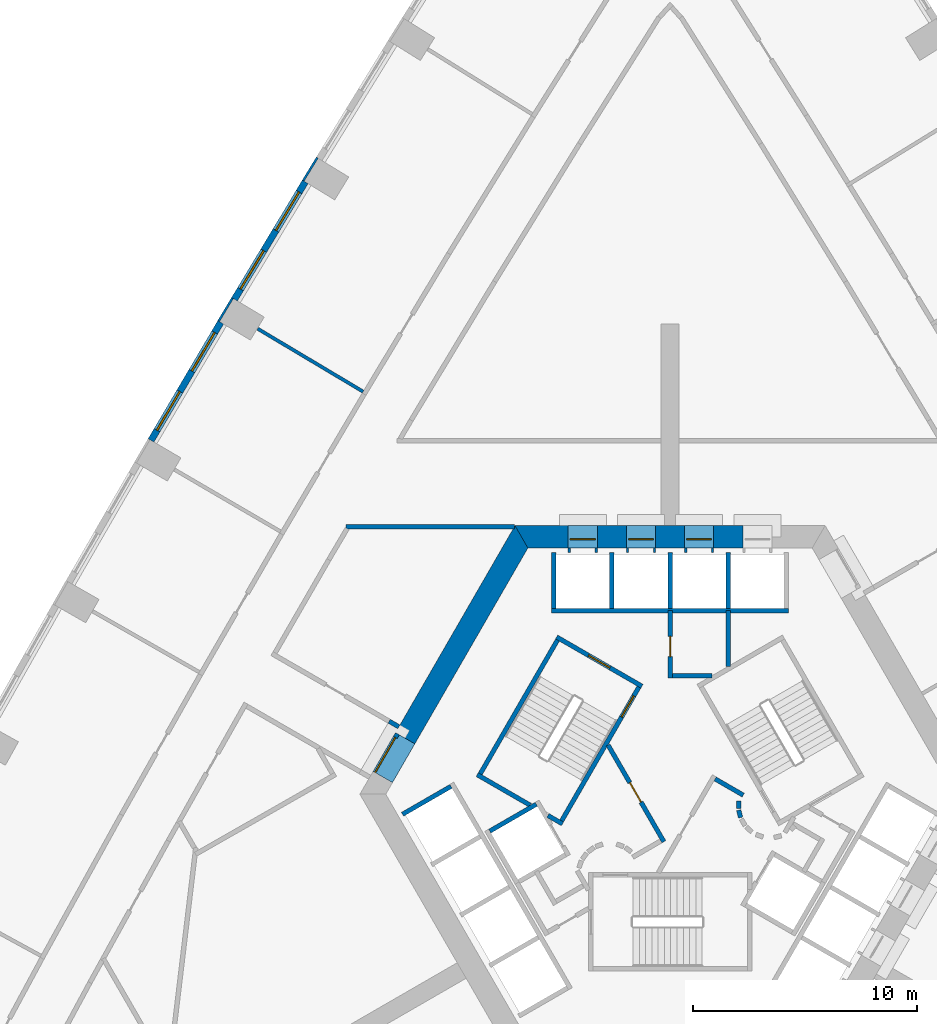
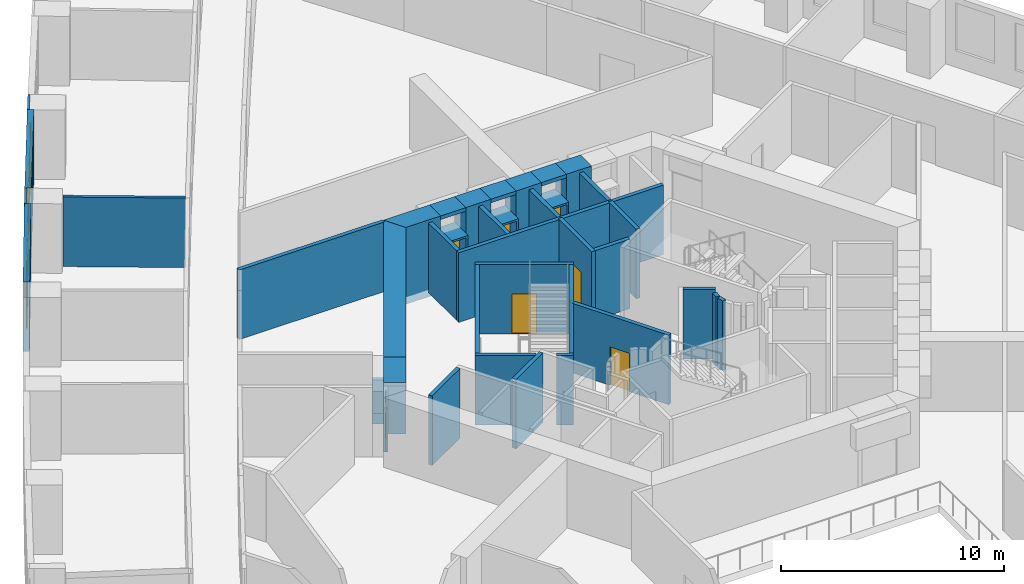
# One storey, part 8 of 16: 39 walls, 8 doors, 4 windows, 12 openings.
"""IFC4 building model written with IfcOpenShell, lengths in metres."""

from ifc_helpers import new_model, si_unit, direction, frame, frame_2d, origin, place, context, subcontext, project, spatial, polyline, rectangle, outline, extrude, material, layer, layer_set, type_object, element, fill, save


model = new_model("IFC4")

# Units and contexts
model_context = context("Model", 3, precision=1e-05, world=origin(), true_north=direction((0.0, 1.0)))
body_context = subcontext(model_context, "Body", "Model", "MODEL_VIEW")
ifc_project = project(units=[si_unit("LENGTHUNIT", "METRE"), si_unit("AREAUNIT", "SQUARE_METRE"), si_unit("VOLUMEUNIT", "CUBIC_METRE"), si_unit("PLANEANGLEUNIT", "RADIAN"), si_unit("MASSUNIT", "GRAM", prefix="KILO")], contexts=[model_context])

# Site, building, storey
site_placement = place(None, origin())
site = spatial("IfcSite", under=ifc_project, at=site_placement, CompositionType="ELEMENT")
building_placement = place(site_placement, origin())
building = spatial("IfcBuilding", under=site, at=building_placement, Name="Entoto Arch Interchange Tower", CompositionType="ELEMENT")
storey_placement = place(building_placement, frame((0.0, 0.0, 60.199951171875)))
storey = spatial("IfcBuildingStorey", under=building, at=storey_placement, Name="L12", CompositionType="ELEMENT", Elevation=60.199951171875)

# Wall, opening, door
ifc_material_1 = material(Name="Reinforced concrete C40/50", Category="concrete")
ifc_layer_1 = layer(ifc_material_1, 0.199951171875)
ifc_layer_set_1 = layer_set([ifc_layer_1], Name="Reinforced concrete C40/50")
wall_type_1 = type_object("IfcWallType", Name="CORE GAP INFILL WALL", PredefinedType="PARTITIONING", material=ifc_layer_set_1)
wall_1_placement = place(storey_placement, frame((-12.179931640625, 5.201904296875, 0.0), z_axis=(0.0, 0.0, 1.0), x_axis=(-0.50002537861, -0.866010750942, 0.0)))
wall_1 = element("IfcWall", 1, at=wall_1_placement, inside=storey, type_object=wall_type_1, Name="wall:L12:gap3", PredefinedType="PARTITIONING", context=body_context, shape_type="SweptSolid", body=[
    extrude(rectangle(XDim=2.0, YDim=0.199951171875, at=frame_2d((1.0, 0.0))), origin(), (0.0, 0.0, 1.0), 2.400146484375),
])
opening_1_placement = place(wall_1_placement, frame((0.18994140625, 0.0, 0.0)))
opening_1 = element("IfcOpeningElement", 2, at=opening_1_placement, cuts=wall_1, Name="Opening L12-D93", PredefinedType="OPENING", context=body_context, shape_type="SweptSolid", body=[
    extrude(rectangle(XDim=1.800048828125, YDim=2.10009765625, at=frame_2d((0.89990234375, 1.050048828125))), frame((0.0, 0.10986328125, 0.0), z_axis=(0.0, -1.0, 0.0), x_axis=(1.0, 0.0, 0.0)), (0.0, 0.0, 1.0), 0.219970703125),
])
ifc_material_2 = material(Name="Fire-rated Steel S235 door and frame", Category="steel")
door_type_1 = type_object("IfcDoorType", Name="DOOR FD-18 1800x2100", OperationType="DOUBLE_DOOR_SINGLE_SWING", PredefinedType="DOOR", material=ifc_material_2)
door_1_placement = place(opening_1_placement, origin())
door_1 = element("IfcDoor", 3, at=door_1_placement, inside=storey, type_object=door_type_1, Name="door:L12:gap3", OperationType="DOUBLE_DOOR_SINGLE_SWING", OverallHeight=2.10009765625, OverallWidth=1.800048828125, PredefinedType="DOOR", context=body_context, shape_type="SweptSolid", body=[
    extrude(rectangle(XDim=1.800048828125, YDim=2.10009765625, at=frame_2d((0.89990234375, 1.050048828125))), frame((0.0, 0.02490234375, 0.0), z_axis=(0.0, -1.0, 0.0), x_axis=(1.0, 0.0, 0.0)), (0.0, 0.0, 1.0), 0.050048828125),
])
fill(opening_1, door_1)

# Walls
ifc_material_3 = material(Name="Concrete C60/75", Category="concrete")
ifc_layer_2 = layer(ifc_material_3, 1.0)
ifc_layer_set_2 = layer_set([ifc_layer_2], Name="Concrete C60/75")
wall_type_2 = type_object("IfcWallType", Name="Core wall 1000 C60/75", PredefinedType="SHEAR", material=ifc_layer_set_2)
wall_2_placement = place(storey_placement, frame((0.0, 0.0, -0.39990234375)))
element("IfcWall", 4, at=wall_2_placement, inside=storey, type_object=wall_type_2, Name="Core wall N L12", PredefinedType="SHEAR", context=body_context, shape_type="SweptSolid", body=[
    extrude(outline(polyline([(1.949951171875, 14.5), (1.949951171875, 13.5), (3.25, 13.5), (3.25, 14.5), (1.949951171875, 14.5)])), origin(), (0.0, 0.0, 1.0), 4.199951171875),
])
wall_3_placement = place(storey_placement, frame((0.0, 0.0, -0.39990234375)))
element("IfcWall", 5, at=wall_3_placement, inside=storey, type_object=wall_type_2, Name="Core wall N L12", PredefinedType="SHEAR", context=body_context, shape_type="SweptSolid", body=[
    extrude(outline(polyline([(-0.64990234375, 14.5), (-0.64990234375, 13.5), (0.64990234375, 13.5), (0.64990234375, 14.5), (-0.64990234375, 14.5)])), origin(), (0.0, 0.0, 1.0), 4.199951171875),
])
wall_4_placement = place(storey_placement, frame((0.0, 0.0, -0.39990234375)))
element("IfcWall", 6, at=wall_4_placement, inside=storey, type_object=wall_type_2, Name="Core wall N L12", PredefinedType="SHEAR", context=body_context, shape_type="SweptSolid", body=[
    extrude(outline(polyline([(-3.25, 14.5), (-3.25, 13.5), (-1.949951171875, 13.5), (-1.949951171875, 14.5), (-3.25, 14.5)])), origin(), (0.0, 0.0, 1.0), 4.199951171875),
])
wall_5_placement = place(storey_placement, frame((0.0, 0.0, -0.39990234375)))
element("IfcWall", 7, at=wall_5_placement, inside=storey, type_object=wall_type_2, Name="Core wall N L12", PredefinedType="SHEAR", context=body_context, shape_type="SweptSolid", body=[
    extrude(outline(polyline([(-4.550048828125, 13.5), (-4.550048828125, 14.5), (-6.927978515625, 14.5), (-6.35107421875, 13.5), (-4.550048828125, 13.5)])), origin(), (0.0, 0.0, 1.0), 4.199951171875),
])
wall_6_placement = place(storey_placement, frame((0.0, 0.0, 3.60009765625)))
element("IfcWall", 8, at=wall_6_placement, inside=storey, type_object=wall_type_2, Name="Core wall lintel N L12", PredefinedType="SHEAR", context=body_context, shape_type="SweptSolid", body=[
    extrude(outline(polyline([(0.64990234375, 14.5), (0.64990234375, 13.5), (1.949951171875, 13.5), (1.949951171875, 14.5), (0.64990234375, 14.5)])), origin(), (0.0, 0.0, 1.0), 0.199951171875),
])
wall_7_placement = place(storey_placement, frame((0.0, 0.0, 3.60009765625)))
element("IfcWall", 9, at=wall_7_placement, inside=storey, type_object=wall_type_2, Name="Core wall lintel N L12", PredefinedType="SHEAR", context=body_context, shape_type="SweptSolid", body=[
    extrude(outline(polyline([(-1.949951171875, 14.5), (-1.949951171875, 13.5), (-0.64990234375, 13.5), (-0.64990234375, 14.5), (-1.949951171875, 14.5)])), origin(), (0.0, 0.0, 1.0), 0.199951171875),
])
wall_8_placement = place(storey_placement, frame((0.0, 0.0, 3.60009765625)))
element("IfcWall", 10, at=wall_8_placement, inside=storey, type_object=wall_type_2, Name="Core wall lintel N L12", PredefinedType="SHEAR", context=body_context, shape_type="SweptSolid", body=[
    extrude(outline(polyline([(-4.550048828125, 14.5), (-4.550048828125, 13.5), (-3.25, 13.5), (-3.25, 14.5), (-4.550048828125, 14.5)])), origin(), (0.0, 0.0, 1.0), 0.199951171875),
])
wall_9_placement = place(storey_placement, frame((0.0, 0.0, -0.39990234375)))
element("IfcWall", 11, at=wall_9_placement, inside=storey, type_object=wall_type_2, Name="Core wall NW L12", PredefinedType="SHEAR", context=body_context, shape_type="SweptSolid", body=[
    extrude(outline(polyline([(-12.26708984375, 5.251953125), (-11.402099609375, 4.751953125), (-6.35107421875, 13.5), (-6.927978515625, 14.5), (-12.26708984375, 5.251953125)])), origin(), (0.0, 0.0, 1.0), 4.199951171875),
])
wall_10_placement = place(storey_placement, frame((0.0, 0.0, 3.60009765625)))
element("IfcWall", 12, at=wall_10_placement, inside=storey, type_object=wall_type_2, Name="Core wall lintel NW L12", PredefinedType="SHEAR", context=body_context, shape_type="SweptSolid", body=[
    extrude(outline(polyline([(-13.26708984375, 3.52001953125), (-12.402099609375, 3.02001953125), (-11.402099609375, 4.751953125), (-12.26708984375, 5.251953125), (-13.26708984375, 3.52001953125)])), origin(), (0.0, 0.0, 1.0), 0.199951171875),
])

# Wall, opening, door
ifc_material_4 = material(Name="Concrete C40/50", Category="concrete")
ifc_layer_3 = layer(ifc_material_4, 1.199951171875)
ifc_layer_set_3 = layer_set([ifc_layer_3], Name="Concrete C40/50")
wall_type_3 = type_object("IfcWallType", Name="LIFT LANDING INFILL WALL", PredefinedType="STANDARD", material=ifc_layer_set_3)
wall_11_placement = place(storey_placement, frame((1.949951171875, 13.89990234375, 0.0), z_axis=(0.0, 0.0, 1.0), x_axis=(-1.0, 0.0, 0.0)))
wall_11 = element("IfcWall", 13, at=wall_11_placement, inside=storey, type_object=wall_type_3, Name="Lift landing infill wall LR2 L12", PredefinedType="STANDARD", context=body_context, shape_type="SweptSolid", body=[
    extrude(rectangle(XDim=1.300048828125, YDim=1.199951171875, at=frame_2d((0.64990234375, 0.0))), origin(), (0.0, 0.0, 1.0), 2.400146484375),
])
opening_2_placement = place(wall_11_placement, frame((0.10009765625, 0.0, 0.0)))
opening_2 = element("IfcOpeningElement", 14, at=opening_2_placement, cuts=wall_11, Name="Opening LD-LR2-L12", PredefinedType="OPENING", context=body_context, shape_type="SweptSolid", body=[
    extrude(rectangle(XDim=1.10009765625, YDim=2.300048828125, at=frame_2d((0.550048828125, 1.14990234375))), frame((0.0, 0.60986328125, 0.0), z_axis=(0.0, -1.0, 0.0), x_axis=(1.0, 0.0, 0.0)), (0.0, 0.0, 1.0), 1.219970703125),
])
ifc_material_5 = material(Name="Stainless steel 1.4301 panels", Category="steel")
door_type_2 = type_object("IfcDoorType", Name="LIFT LANDING DOOR LD2 1100x2300", OperationType="SLIDING_TO_LEFT", PredefinedType="DOOR", material=ifc_material_5)
door_2_placement = place(opening_2_placement, origin())
door_2 = element("IfcDoor", 15, at=door_2_placement, inside=storey, type_object=door_type_2, Name="Lift landing door LR2 L12", OperationType="SLIDING_TO_LEFT", OverallHeight=2.300048828125, OverallWidth=1.10009765625, PredefinedType="DOOR", context=body_context, shape_type="SweptSolid", body=[
    extrude(rectangle(XDim=1.10009765625, YDim=2.300048828125, at=frame_2d((0.550048828125, 1.14990234375))), frame((0.0, 0.02490234375, 0.0), z_axis=(0.0, -1.0, 0.0), x_axis=(1.0, 0.0, 0.0)), (0.0, 0.0, 1.0), 0.050048828125),
])
fill(opening_2, door_2)

wall_12_placement = place(storey_placement, frame((-0.64990234375, 13.89990234375, 0.0), z_axis=(0.0, 0.0, 1.0), x_axis=(-1.0, 0.0, 0.0)))
wall_12 = element("IfcWall", 16, at=wall_12_placement, inside=storey, type_object=wall_type_3, Name="Lift landing infill wall LR3 L12", PredefinedType="STANDARD", context=body_context, shape_type="SweptSolid", body=[
    extrude(rectangle(XDim=1.300048828125, YDim=1.199951171875, at=frame_2d((0.64990234375, 0.0))), origin(), (0.0, 0.0, 1.0), 2.400146484375),
])
opening_3_placement = place(wall_12_placement, frame((0.10009765625, 0.0, 0.0)))
opening_3 = element("IfcOpeningElement", 17, at=opening_3_placement, cuts=wall_12, Name="Opening LD-LR3-L12", PredefinedType="OPENING", context=body_context, shape_type="SweptSolid", body=[
    extrude(rectangle(XDim=1.10009765625, YDim=2.300048828125, at=frame_2d((0.550048828125, 1.14990234375))), frame((0.0, 0.60986328125, 0.0), z_axis=(0.0, -1.0, 0.0), x_axis=(1.0, 0.0, 0.0)), (0.0, 0.0, 1.0), 1.219970703125),
])
door_3_placement = place(opening_3_placement, origin())
door_3 = element("IfcDoor", 18, at=door_3_placement, inside=storey, type_object=door_type_2, Name="Lift landing door LR3 L12", OperationType="SLIDING_TO_LEFT", OverallHeight=2.300048828125, OverallWidth=1.10009765625, PredefinedType="DOOR", context=body_context, shape_type="SweptSolid", body=[
    extrude(rectangle(XDim=1.10009765625, YDim=2.300048828125, at=frame_2d((0.550048828125, 1.14990234375))), frame((0.0, 0.02490234375, 0.0), z_axis=(0.0, -1.0, 0.0), x_axis=(1.0, 0.0, 0.0)), (0.0, 0.0, 1.0), 0.050048828125),
])
fill(opening_3, door_3)

wall_13_placement = place(storey_placement, frame((-3.25, 13.89990234375, 0.0), z_axis=(0.0, 0.0, 1.0), x_axis=(-1.0, 0.0, 0.0)))
wall_13 = element("IfcWall", 19, at=wall_13_placement, inside=storey, type_object=wall_type_3, Name="Lift landing infill wall LR4 L12", PredefinedType="STANDARD", context=body_context, shape_type="SweptSolid", body=[
    extrude(rectangle(XDim=1.300048828125, YDim=1.199951171875, at=frame_2d((0.64990234375, 0.0))), origin(), (0.0, 0.0, 1.0), 2.400146484375),
])
opening_4_placement = place(wall_13_placement, frame((0.10009765625, 0.0, 0.0)))
opening_4 = element("IfcOpeningElement", 20, at=opening_4_placement, cuts=wall_13, Name="Opening LD-LR4-L12", PredefinedType="OPENING", context=body_context, shape_type="SweptSolid", body=[
    extrude(rectangle(XDim=1.10009765625, YDim=2.300048828125, at=frame_2d((0.550048828125, 1.14990234375))), frame((0.0, 0.60986328125, 0.0), z_axis=(0.0, -1.0, 0.0), x_axis=(1.0, 0.0, 0.0)), (0.0, 0.0, 1.0), 1.219970703125),
])
door_4_placement = place(opening_4_placement, origin())
door_4 = element("IfcDoor", 21, at=door_4_placement, inside=storey, type_object=door_type_2, Name="Lift landing door LR4 L12", OperationType="SLIDING_TO_LEFT", OverallHeight=2.300048828125, OverallWidth=1.10009765625, PredefinedType="DOOR", context=body_context, shape_type="SweptSolid", body=[
    extrude(rectangle(XDim=1.10009765625, YDim=2.300048828125, at=frame_2d((0.550048828125, 1.14990234375))), frame((0.0, 0.02490234375, 0.0), z_axis=(0.0, -1.0, 0.0), x_axis=(1.0, 0.0, 0.0)), (0.0, 0.0, 1.0), 0.050048828125),
])
fill(opening_4, door_4)

# Walls
ifc_layer_4 = layer(ifc_material_4, 0.199951171875)
ifc_layer_set_4 = layer_set([ifc_layer_4], Name="Concrete C40/50")
wall_type_4 = type_object("IfcWallType", Name="LIFT SHAFT WALL 200", PredefinedType="STANDARD", material=ifc_layer_set_4)
wall_14_placement = place(storey_placement, frame((5.300048828125, 10.699951171875, 0.0), z_axis=(0.0, 0.0, 1.0), x_axis=(-1.0, 0.0, 0.0)))
element("IfcWall", 22, at=wall_14_placement, inside=storey, type_object=wall_type_4, Name="Shaft wall N3 front", PredefinedType="STANDARD", context=body_context, shape_type="SweptSolid", body=[
    extrude(rectangle(XDim=10.60009765625, YDim=0.199951171875, at=frame_2d((5.300048828125, 0.0))), origin(), (0.0, 0.0, 1.0), 3.800048828125),
])
for number, where, z_axis, x_axis, name in (
    (23, (2.60009765625, 10.800048828125, 0.0), (0.0, 0.0, 1.0), (0.0, 1.0, 0.0), "Shaft wall N3 cross 2"),
    (24, (0.0, 10.800048828125, 0.0), (0.0, 0.0, 1.0), (0.0, 1.0, 0.0), "Shaft wall N3 cross 3"),
    (25, (-2.60009765625, 10.800048828125, 0.0), (0.0, 0.0, 1.0), (0.0, 1.0, 0.0), "Shaft wall N3 cross 4"),
    (26, (-5.199951171875, 10.800048828125, 0.0), (0.0, 0.0, 1.0), (0.0, 1.0, 0.0), "Shaft wall N3 cross 5"),
):
    element("IfcWall", number, at=place(storey_placement, frame(where, z_axis=z_axis, x_axis=x_axis)), inside=storey, type_object=wall_type_4, Name=name, PredefinedType="STANDARD", context=body_context, shape_type="SweptSolid", body=[
        extrude(rectangle(XDim=2.5, YDim=0.199951171875, at=frame_2d((1.25, 0.0))), origin(), (0.0, 0.0, 1.0), 3.800048828125),
    ])
wall_15_placement = place(storey_placement, frame((-5.97705078125, 2.052001953125, 0.0), z_axis=(0.0, 0.0, 1.0), x_axis=(-0.865973769406, -0.500089422704, 0.0)))
element("IfcWall", 27, at=wall_15_placement, inside=storey, type_object=wall_type_4, Name="Shaft wall SW1 cross 1", PredefinedType="STANDARD", context=body_context, shape_type="SweptSolid", body=[
    extrude(rectangle(XDim=2.3994140625, YDim=0.199951171875, at=frame_2d((1.19970703125, 0.0))), origin(), (0.0, 0.0, 1.0), 3.800048828125),
])
wall_16_placement = place(storey_placement, frame((-9.7880859375, 2.85302734375, 0.0), z_axis=(0.0, 0.0, 1.0), x_axis=(-0.865998541277, -0.500046524342, 0.0)))
element("IfcWall", 28, at=wall_16_placement, inside=storey, type_object=wall_type_4, Name="Shaft wall SW3 cross 1", PredefinedType="STANDARD", context=body_context, shape_type="SweptSolid", body=[
    extrude(rectangle(XDim=2.499755859375, YDim=0.199951171875, at=frame_2d((1.25, 0.0))), origin(), (0.0, 0.0, 1.0), 3.800048828125),
])
ifc_material_6 = material(Name="Gypsum board partition on steel studs", Category="steel")
ifc_layer_5 = layer(ifc_material_6, 0.14990234375)
ifc_layer_set_5 = layer_set([ifc_layer_5], Name="Gypsum board partition on steel studs")
wall_type_5 = type_object("IfcWallType", Name="PARTITION 150", PredefinedType="PARTITIONING", material=ifc_layer_set_5)
wall_17_placement = place(storey_placement, frame((-13.716064453125, 20.488037109375, 0.0), z_axis=(0.0, 0.0, 1.0), x_axis=(-0.85883841868, 0.512246591594, 0.0)))
element("IfcWall", 29, at=wall_17_placement, inside=storey, type_object=wall_type_5, Name="wall:L12:p144", PredefinedType="PARTITIONING", context=body_context, shape_type="SweptSolid", body=[
    extrude(rectangle(XDim=5.4794921875, YDim=0.14990234375, at=frame_2d((2.73974609375, 0.0))), origin(), (0.0, 0.0, 1.0), 3.800048828125),
])
ifc_layer_6 = layer(ifc_material_6, 0.199951171875)
ifc_layer_set_6 = layer_set([ifc_layer_6], Name="Gypsum board partition on steel studs")
wall_type_6 = type_object("IfcWallType", Name="PARTITION 200", PredefinedType="PARTITIONING", material=ifc_layer_set_6)
wall_18_placement = place(storey_placement, frame((1.8798828125, 7.800048828125, 0.0), z_axis=(0.0, 0.0, 1.0), x_axis=(-1.0, 0.0, 0.0)))
element("IfcWall", 30, at=wall_18_placement, inside=storey, type_object=wall_type_6, Name="wall:L12:p083", PredefinedType="PARTITIONING", context=body_context, shape_type="SweptSolid", body=[
    extrude(rectangle(XDim=1.77978515625, YDim=0.199951171875, at=frame_2d((0.889892578125, 0.0))), origin(), (0.0, 0.0, 1.0), 3.800048828125),
])

# Wall, opening, door
wall_19_placement = place(storey_placement, frame((0.0, 7.699951171875, 0.0), z_axis=(0.0, 0.0, 1.0), x_axis=(0.000325520816, 0.999999947018, 0.0)))
wall_19 = element("IfcWall", 31, at=wall_19_placement, inside=storey, type_object=wall_type_6, Name="wall:L12:p084", PredefinedType="PARTITIONING", context=body_context, shape_type="SweptSolid", body=[
    extrude(rectangle(XDim=3.0, YDim=0.199951171875, at=frame_2d((1.5, 0.0))), origin(), (0.0, 0.0, 1.0), 3.800048828125),
])
opening_5_placement = place(wall_19_placement, frame((0.949951171875, 0.0, 0.0)))
opening_5 = element("IfcOpeningElement", 32, at=opening_5_placement, cuts=wall_19, Name="Opening L12-D32", PredefinedType="OPENING", context=body_context, shape_type="SweptSolid", body=[
    extrude(rectangle(XDim=0.89990234375, YDim=2.10009765625, at=frame_2d((0.449951171875, 1.050048828125))), frame((0.0, 0.10986328125, 0.0), z_axis=(0.0, -1.0, 0.0), x_axis=(1.0, 0.0, 0.0)), (0.0, 0.0, 1.0), 0.219970703125),
])
ifc_material_7 = material(Name="Timber door leaf in Steel S235 frame", Category="steel")
door_type_3 = type_object("IfcDoorType", Name="DOOR DS-09 900x2100", OperationType="SINGLE_SWING_LEFT", PredefinedType="DOOR", material=ifc_material_7)
door_5_placement = place(opening_5_placement, origin())
door_5 = element("IfcDoor", 33, at=door_5_placement, inside=storey, type_object=door_type_3, Name="door:L12:32", OperationType="SINGLE_SWING_RIGHT", OverallHeight=2.10009765625, OverallWidth=0.89990234375, PredefinedType="DOOR", context=body_context, shape_type="SweptSolid", body=[
    extrude(rectangle(XDim=0.89990234375, YDim=2.10009765625, at=frame_2d((0.449951171875, 1.050048828125))), frame((0.0, 0.02490234375, 0.0), z_axis=(0.0, -1.0, 0.0), x_axis=(1.0, 0.0, 0.0)), (0.0, 0.0, 1.0), 0.050048828125),
])
fill(opening_5, door_5)

# Walls
wall_20_placement = place(storey_placement, frame((2.59912109375, 10.699951171875, 0.0), z_axis=(0.0, 0.0, 1.0), x_axis=(0.000393159002, -0.999999922713, 0.0)))
element("IfcWall", 34, at=wall_20_placement, inside=storey, type_object=wall_type_6, Name="wall:L12:p085", PredefinedType="PARTITIONING", context=body_context, shape_type="SweptSolid", body=[
    extrude(rectangle(XDim=2.48388671875, YDim=0.199951171875, at=frame_2d((1.241943359375, 0.0))), origin(), (0.0, 0.0, 1.0), 3.800048828125),
])
wall_21_placement = place(storey_placement, frame((-6.95703125, 14.449951171875, 0.0), z_axis=(0.0, 0.0, 1.0), x_axis=(-1.0, 0.0, 0.0)))
element("IfcWall", 35, at=wall_21_placement, inside=storey, type_object=wall_type_6, Name="wall:L12:p097", PredefinedType="PARTITIONING", context=body_context, shape_type="SweptSolid", body=[
    extrude(rectangle(XDim=7.51904296875, YDim=0.199951171875, at=frame_2d((3.759521484375, 0.0))), origin(), (0.0, 0.0, 1.0), 3.800048828125),
])
wall_22_placement = place(storey_placement, frame((2.011962890625, 3.18603515625, 0.0), z_axis=(0.0, 0.0, 1.0), x_axis=(0.865891012941, -0.500232699559, 0.0)))
element("IfcWall", 36, at=wall_22_placement, inside=storey, type_object=wall_type_6, Name="wall:L12:p101", PredefinedType="PARTITIONING", context=body_context, shape_type="SweptSolid", body=[
    extrude(rectangle(XDim=1.449462890625, YDim=0.199951171875, at=frame_2d((0.724609375, 0.0))), origin(), (0.0, 0.0, 1.0), 3.800048828125),
])
wall_23_placement = place(storey_placement, frame((3.0791015625, 2.198974609375, 0.0), z_axis=(0.0, 0.0, 1.0), x_axis=(-0.047771483479, -0.998858290933, 0.0)))
element("IfcWall", 37, at=wall_23_placement, inside=storey, type_object=wall_type_6, Name="wall:L12:p102", PredefinedType="PARTITIONING", context=body_context, shape_type="SweptSolid", body=[
    extrude(rectangle(XDim=0.33740234375, YDim=0.199951171875, at=frame_2d((0.168701171875, 0.0))), origin(), (0.0, 0.0, 1.0), 3.800048828125),
])
wall_24_placement = place(storey_placement, frame((3.070068359375, 1.785888671875, 0.0), z_axis=(0.0, 0.0, 1.0), x_axis=(0.242705583207, -0.970099994784, 0.0)))
element("IfcWall", 38, at=wall_24_placement, inside=storey, type_object=wall_type_6, Name="wall:L12:p103", PredefinedType="PARTITIONING", context=body_context, shape_type="SweptSolid", body=[
    extrude(rectangle(XDim=0.337890625, YDim=0.199951171875, at=frame_2d((0.1689453125, 0.0))), origin(), (0.0, 0.0, 1.0), 3.800048828125),
])

# Wall, opening, door
wall_25_placement = place(storey_placement, frame((-2.77099609375, 4.699951171875, 0.0), z_axis=(0.0, 0.0, 1.0), x_axis=(0.499969479948, -0.866043023828, 0.0)))
wall_25 = element("IfcWall", 39, at=wall_25_placement, inside=storey, type_object=wall_type_6, Name="wall:L12:p108", PredefinedType="PARTITIONING", context=body_context, shape_type="SweptSolid", body=[
    extrude(rectangle(XDim=4.990478515625, YDim=0.199951171875, at=frame_2d((2.4951171875, 0.0))), origin(), (0.0, 0.0, 1.0), 3.800048828125),
])
opening_6_placement = place(wall_25_placement, frame((1.945068359375, 0.0, 0.0)))
opening_6 = element("IfcOpeningElement", 40, at=opening_6_placement, cuts=wall_25, Name="Opening L12-D31", PredefinedType="OPENING", context=body_context, shape_type="SweptSolid", body=[
    extrude(rectangle(XDim=1.0, YDim=2.10009765625, at=frame_2d((0.5, 1.050048828125))), frame((0.0, 0.10986328125, 0.0), z_axis=(0.0, -1.0, 0.0), x_axis=(1.0, 0.0, 0.0)), (0.0, 0.0, 1.0), 0.219970703125),
])
door_type_4 = type_object("IfcDoorType", Name="DOOR FD-10 1000x2100", OperationType="SINGLE_SWING_LEFT", PredefinedType="DOOR", material=ifc_material_2)
door_6_placement = place(opening_6_placement, origin())
door_6 = element("IfcDoor", 41, at=door_6_placement, inside=storey, type_object=door_type_4, Name="door:L12:31", OperationType="SINGLE_SWING_RIGHT", OverallHeight=2.10009765625, OverallWidth=1.0, PredefinedType="DOOR", context=body_context, shape_type="SweptSolid", body=[
    extrude(rectangle(XDim=1.0, YDim=2.10009765625, at=frame_2d((0.5, 1.050048828125))), frame((0.0, 0.02490234375, 0.0), z_axis=(0.0, -1.0, 0.0), x_axis=(1.0, 0.0, 0.0)), (0.0, 0.0, 1.0), 0.050048828125),
])
fill(opening_6, door_6)

# Wall
wall_26_placement = place(storey_placement, frame((-12.550048828125, 5.761962890625, 0.0), z_axis=(0.0, 0.0, 1.0), x_axis=(0.866071776036, -0.499919672301, 0.0)))
element("IfcWall", 42, at=wall_26_placement, inside=storey, type_object=wall_type_6, Name="wall:L12:p003", PredefinedType="PARTITIONING", context=body_context, shape_type="SweptSolid", body=[
    extrude(rectangle(XDim=0.5, YDim=0.199951171875, at=frame_2d((0.25, 0.0))), origin(), (0.0, 0.0, 1.0), 2.400146484375),
])

# Wall, opening, door
ifc_layer_7 = layer(ifc_material_4, 0.199951171875)
ifc_layer_set_7 = layer_set([ifc_layer_7], Name="Concrete C40/50")
wall_type_7 = type_object("IfcWallType", Name="STAIR ENCLOSURE WALL 200", PredefinedType="STANDARD", material=ifc_layer_set_7)
wall_27_placement = place(storey_placement, frame((-1.256103515625, 7.323974609375, 0.0), z_axis=(0.0, 0.0, 1.0), x_axis=(-0.866046073146, 0.499964197906, 0.0)))
wall_27 = element("IfcWall", 43, at=wall_27_placement, inside=storey, type_object=wall_type_7, Name="Stair wall ST-NW near", PredefinedType="STANDARD", context=body_context, shape_type="SweptSolid", body=[
    extrude(rectangle(XDim=4.400146484375, YDim=0.199951171875, at=frame_2d((2.2001953125, 0.0))), origin(), (0.0, 0.0, 1.0), 3.800048828125),
])
opening_7_placement = place(wall_27_placement, frame((1.64990234375, 0.0, 0.0)))
opening_7 = element("IfcOpeningElement", 44, at=opening_7_placement, cuts=wall_27, Name="Opening SD-ST-NW-L12-E", PredefinedType="OPENING", context=body_context, shape_type="SweptSolid", body=[
    extrude(rectangle(XDim=1.10009765625, YDim=2.199951171875, at=frame_2d((0.550048828125, 1.10009765625))), frame((0.0, 0.10986328125, 0.0), z_axis=(0.0, -1.0, 0.0), x_axis=(1.0, 0.0, 0.0)), (0.0, 0.0, 1.0), 0.219970703125),
])
ifc_material_8 = material(Name="Steel S235", Category="steel")
door_type_5 = type_object("IfcDoorType", Name="STAIR DOOR SD1 1100x2200", OperationType="SINGLE_SWING_LEFT", PredefinedType="DOOR", material=ifc_material_8)
door_7_placement = place(opening_7_placement, origin())
door_7 = element("IfcDoor", 45, at=door_7_placement, inside=storey, type_object=door_type_5, Name="Stair door ST-NW L12 end", OperationType="SINGLE_SWING_LEFT", OverallHeight=2.199951171875, OverallWidth=1.10009765625, PredefinedType="DOOR", context=body_context, shape_type="SweptSolid", body=[
    extrude(rectangle(XDim=1.10009765625, YDim=2.199951171875, at=frame_2d((0.550048828125, 1.10009765625))), frame((0.0, 0.02490234375, 0.0), z_axis=(0.0, -1.0, 0.0), x_axis=(1.0, 0.0, 0.0)), (0.0, 0.0, 1.0), 0.050048828125),
])
fill(opening_7, door_7)

# Walls
wall_28_placement = place(storey_placement, frame((-6.25, 2.010009765625, 0.0), z_axis=(0.0, 0.0, 1.0), x_axis=(-0.86611865017, 0.499838457731, 0.0)))
element("IfcWall", 46, at=wall_28_placement, inside=storey, type_object=wall_type_7, Name="Stair wall ST-NW far", PredefinedType="STANDARD", context=body_context, shape_type="SweptSolid", body=[
    extrude(rectangle(XDim=2.73291015625, YDim=0.199951171875, at=frame_2d((1.366455078125, 0.0))), origin(), (0.0, 0.0, 1.0), 3.800048828125),
])
wall_29_placement = place(storey_placement, frame((-4.805908203125, 1.176025390625, 0.0), z_axis=(0.0, 0.0, 1.0), x_axis=(-0.866558586415, 0.499075361355, 0.0)))
element("IfcWall", 47, at=wall_29_placement, inside=storey, type_object=wall_type_7, Name="Stair wall ST-NW far return", PredefinedType="STANDARD", context=body_context, shape_type="SweptSolid", body=[
    extrude(rectangle(XDim=0.75146484375, YDim=0.199951171875, at=frame_2d((0.375732421875, 0.0))), origin(), (0.0, 0.0, 1.0), 3.800048828125),
])

# Wall, opening, door
wall_30_placement = place(storey_placement, frame((-1.39306640625, 7.2880859375, 0.0), z_axis=(0.0, 0.0, 1.0), x_axis=(-0.499963383562, -0.866046543262, 0.0)))
wall_30 = element("IfcWall", 48, at=wall_30_placement, inside=storey, type_object=wall_type_7, Name="Stair wall ST-NW hall", PredefinedType="STANDARD", context=body_context, shape_type="SweptSolid", body=[
    extrude(rectangle(XDim=6.900390625, YDim=0.199951171875, at=frame_2d((3.4501953125, 0.0))), origin(), (0.0, 0.0, 1.0), 3.800048828125),
])
opening_8_placement = place(wall_30_placement, frame((0.449951171875, 0.0, 0.0)))
opening_8 = element("IfcOpeningElement", 49, at=opening_8_placement, cuts=wall_30, Name="Opening SD-ST-NW-L12", PredefinedType="OPENING", context=body_context, shape_type="SweptSolid", body=[
    extrude(rectangle(XDim=1.10009765625, YDim=2.199951171875, at=frame_2d((0.550048828125, 1.10009765625))), frame((0.0, 0.10986328125, 0.0), z_axis=(0.0, -1.0, 0.0), x_axis=(1.0, 0.0, 0.0)), (0.0, 0.0, 1.0), 0.219970703125),
])
door_8_placement = place(opening_8_placement, origin())
door_8 = element("IfcDoor", 50, at=door_8_placement, inside=storey, type_object=door_type_5, Name="Stair door ST-NW L12", OperationType="SINGLE_SWING_LEFT", OverallHeight=2.199951171875, OverallWidth=1.10009765625, PredefinedType="DOOR", context=body_context, shape_type="SweptSolid", body=[
    extrude(rectangle(XDim=1.10009765625, YDim=2.199951171875, at=frame_2d((0.550048828125, 1.10009765625))), frame((0.0, 0.02490234375, 0.0), z_axis=(0.0, -1.0, 0.0), x_axis=(1.0, 0.0, 0.0)), (0.0, 0.0, 1.0), 0.050048828125),
])
fill(opening_8, door_8)

# Wall
wall_31_placement = place(storey_placement, frame((-5.030029296875, 9.387939453125, 0.0), z_axis=(0.0, 0.0, 1.0), x_axis=(-0.499978703459, -0.866037698999, 0.0)))
element("IfcWall", 51, at=wall_31_placement, inside=storey, type_object=wall_type_7, Name="Stair wall ST-NW back", PredefinedType="STANDARD", context=body_context, shape_type="SweptSolid", body=[
    extrude(rectangle(XDim=6.900146484375, YDim=0.199951171875, at=frame_2d((3.4501953125, 0.0))), origin(), (0.0, 0.0, 1.0), 3.800048828125),
])

# Wall, openings, windows
ifc_material_9 = material(Name="Welded tuff (ignimbrite) cladding, warm buff", Category="masonry")
ifc_layer_8 = layer(ifc_material_9, 0.300048828125)
ifc_layer_set_8 = layer_set([ifc_layer_8], Name="Welded tuff (ignimbrite) cladding, warm buff")
wall_type_8 = type_object("IfcWallType", Name="STONE INFILL WALL 300", PredefinedType="STANDARD", material=ifc_layer_set_8)
wall_32_placement = place(storey_placement, frame((-16.300048828125, 29.85888671875, 0.0), z_axis=(0.0, 0.0, 1.0), x_axis=(-0.516147563478, -0.856499674674, 0.0)))
wall_32 = element("IfcWall", 52, at=wall_32_placement, inside=storey, type_object=wall_type_8, Name="Facade wall NW-03 L12", PredefinedType="STANDARD", context=body_context, shape_type="SweptSolid", body=[
    extrude(rectangle(XDim=6.1259765625, YDim=0.300048828125, at=frame_2d((3.06298828125, 0.0))), origin(), (0.0, 0.0, 1.0), 3.800048828125),
])
opening_9_placement = place(wall_32_placement, frame((0.531982421875, 0.0, 0.89990234375)))
opening_9 = element("IfcOpeningElement", 53, at=opening_9_placement, cuts=wall_32, Name="Opening WO-C", PredefinedType="OPENING", context=body_context, shape_type="SweptSolid", body=[
    extrude(rectangle(XDim=2.0, YDim=2.60009765625, at=frame_2d((1.0, 1.300048828125))), frame((0.0, 0.16015625, 0.0), z_axis=(0.0, -1.0, 0.0), x_axis=(1.0, 0.0, 0.0)), (0.0, 0.0, 1.0), 0.320068359375),
])
opening_10_placement = place(wall_32_placement, frame((3.594970703125, 0.0, 0.89990234375)))
opening_10 = element("IfcOpeningElement", 54, at=opening_10_placement, cuts=wall_32, Name="Opening WO-C", PredefinedType="OPENING", context=body_context, shape_type="SweptSolid", body=[
    extrude(rectangle(XDim=2.0, YDim=2.60009765625, at=frame_2d((1.0, 1.300048828125))), frame((0.0, 0.16015625, 0.0), z_axis=(0.0, -1.0, 0.0), x_axis=(1.0, 0.0, 0.0)), (0.0, 0.0, 1.0), 0.320068359375),
])
ifc_material_10 = material(Name="Clear glass, low-e double glazed", Category="glass")
window_type = type_object("IfcWindowType", Name="WINDOW WO-C 2000x2600", PartitioningType="DOUBLE_PANEL_VERTICAL", PredefinedType="WINDOW", material=ifc_material_10)
window_1_placement = place(opening_9_placement, origin())
window_1 = element("IfcWindow", 55, at=window_1_placement, inside=storey, type_object=window_type, Name="Window WO-C NW-03 L12", OverallHeight=2.60009765625, OverallWidth=2.0, PartitioningType="SINGLE_PANEL", PredefinedType="WINDOW", context=body_context, shape_type="SweptSolid", body=[
    extrude(rectangle(XDim=2.0, YDim=2.60009765625, at=frame_2d((1.0, 1.300048828125))), frame((0.0, 0.030029296875, 0.0), z_axis=(0.0, -1.0, 0.0), x_axis=(1.0, 0.0, 0.0)), (0.0, 0.0, 1.0), 0.06005859375),
])
fill(opening_9, window_1)
window_2_placement = place(opening_10_placement, origin())
window_2 = element("IfcWindow", 56, at=window_2_placement, inside=storey, type_object=window_type, Name="Window WO-C NW-03 L12", OverallHeight=2.60009765625, OverallWidth=2.0, PartitioningType="SINGLE_PANEL", PredefinedType="WINDOW", context=body_context, shape_type="SweptSolid", body=[
    extrude(rectangle(XDim=2.0, YDim=2.60009765625, at=frame_2d((1.0, 1.300048828125))), frame((0.0, 0.030029296875, 0.0), z_axis=(0.0, -1.0, 0.0), x_axis=(1.0, 0.0, 0.0)), (0.0, 0.0, 1.0), 0.06005859375),
])
fill(opening_10, window_2)

wall_33_placement = place(storey_placement, frame((-20.075927734375, 23.5830078125, 0.0), z_axis=(0.0, 0.0, 1.0), x_axis=(-0.508163938648, -0.861260362177, 0.0)))
wall_33 = element("IfcWall", 57, at=wall_33_placement, inside=storey, type_object=wall_type_8, Name="Facade wall NW-04 L12", PredefinedType="STANDARD", context=body_context, shape_type="SweptSolid", body=[
    extrude(rectangle(XDim=6.1259765625, YDim=0.300048828125, at=frame_2d((3.06298828125, 0.0))), origin(), (0.0, 0.0, 1.0), 3.800048828125),
])
opening_11_placement = place(wall_33_placement, frame((0.531005859375, 0.0, 0.89990234375)))
opening_11 = element("IfcOpeningElement", 58, at=opening_11_placement, cuts=wall_33, Name="Opening WO-C", PredefinedType="OPENING", context=body_context, shape_type="SweptSolid", body=[
    extrude(rectangle(XDim=2.0, YDim=2.60009765625, at=frame_2d((1.0, 1.300048828125))), frame((0.0, 0.16015625, 0.0), z_axis=(0.0, -1.0, 0.0), x_axis=(1.0, 0.0, 0.0)), (0.0, 0.0, 1.0), 0.320068359375),
])
opening_12_placement = place(wall_33_placement, frame((3.593994140625, 0.0, 0.89990234375)))
opening_12 = element("IfcOpeningElement", 59, at=opening_12_placement, cuts=wall_33, Name="Opening WO-C", PredefinedType="OPENING", context=body_context, shape_type="SweptSolid", body=[
    extrude(rectangle(XDim=2.0, YDim=2.60009765625, at=frame_2d((1.0, 1.300048828125))), frame((0.0, 0.16015625, 0.0), z_axis=(0.0, -1.0, 0.0), x_axis=(1.0, 0.0, 0.0)), (0.0, 0.0, 1.0), 0.320068359375),
])
window_3_placement = place(opening_11_placement, origin())
window_3 = element("IfcWindow", 60, at=window_3_placement, inside=storey, type_object=window_type, Name="Window WO-C NW-04 L12", OverallHeight=2.60009765625, OverallWidth=2.0, PartitioningType="SINGLE_PANEL", PredefinedType="WINDOW", context=body_context, shape_type="SweptSolid", body=[
    extrude(rectangle(XDim=2.0, YDim=2.60009765625, at=frame_2d((1.0, 1.300048828125))), frame((0.0, 0.030029296875, 0.0), z_axis=(0.0, -1.0, 0.0), x_axis=(1.0, 0.0, 0.0)), (0.0, 0.0, 1.0), 0.06005859375),
])
fill(opening_11, window_3)
window_4_placement = place(opening_12_placement, origin())
window_4 = element("IfcWindow", 61, at=window_4_placement, inside=storey, type_object=window_type, Name="Window WO-C NW-04 L12", OverallHeight=2.60009765625, OverallWidth=2.0, PartitioningType="SINGLE_PANEL", PredefinedType="WINDOW", context=body_context, shape_type="SweptSolid", body=[
    extrude(rectangle(XDim=2.0, YDim=2.60009765625, at=frame_2d((1.0, 1.300048828125))), frame((0.0, 0.030029296875, 0.0), z_axis=(0.0, -1.0, 0.0), x_axis=(1.0, 0.0, 0.0)), (0.0, 0.0, 1.0), 0.06005859375),
])
fill(opening_12, window_4)

# Walls
ifc_layer_9 = layer(ifc_material_9, 0.10009765625)
ifc_layer_set_9 = layer_set([ifc_layer_9], Name="Welded tuff (ignimbrite) cladding, warm buff")
wall_type_9 = type_object("IfcWallType", Name="STONE PIER CLADDING 100", PredefinedType="STANDARD", material=ifc_layer_set_9)
for number, where, z_axis, x_axis, name in (
    (62, (-15.762939453125, 30.93603515625, 0.0), (0.0, 0.0, 1.0), (-0.521598117945, -0.853191305251, 0.0), "Stone pier NW03 L12"),
    (63, (-19.549072265625, 24.6650390625, 0.0), (0.0, 0.0, 1.0), (-0.513238760752, -0.858245870635, 0.0), "Stone pier NW04 L12"),
):
    element("IfcWall", number, at=place(storey_placement, frame(where, z_axis=z_axis, x_axis=x_axis)), inside=storey, type_object=wall_type_9, Name=name, PredefinedType="STANDARD", context=body_context, shape_type="SweptSolid", body=[
        extrude(rectangle(XDim=1.2001953125, YDim=0.10009765625, at=frame_2d((0.60009765625, 0.0))), origin(), (0.0, 0.0, 1.0), 3.800048828125),
    ])

save(model, "model.ifc")
